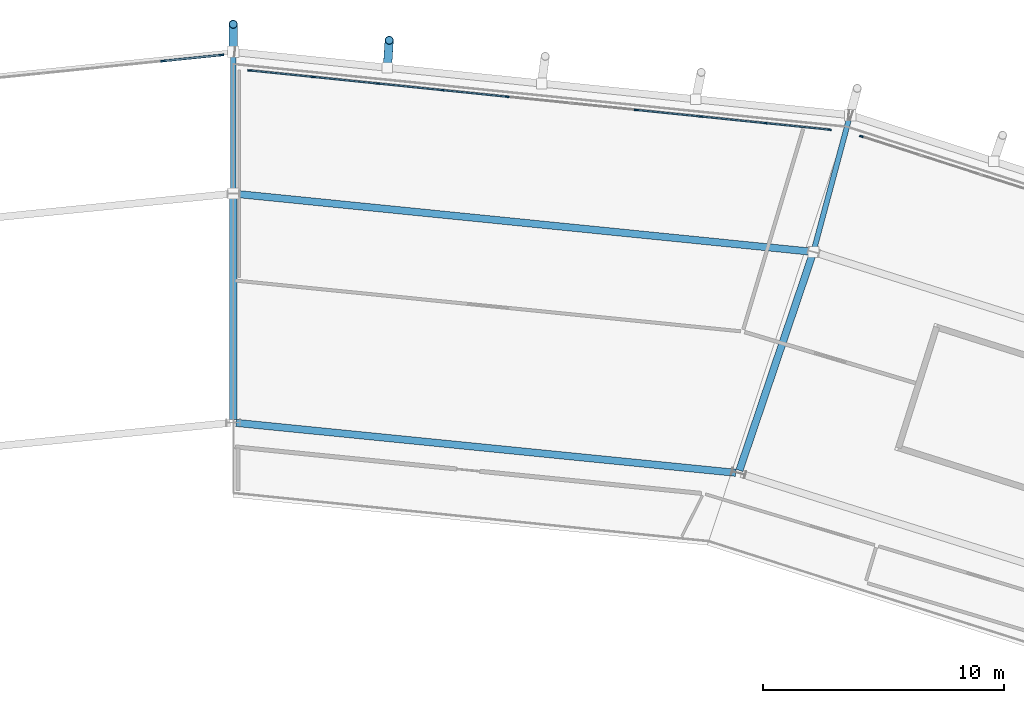
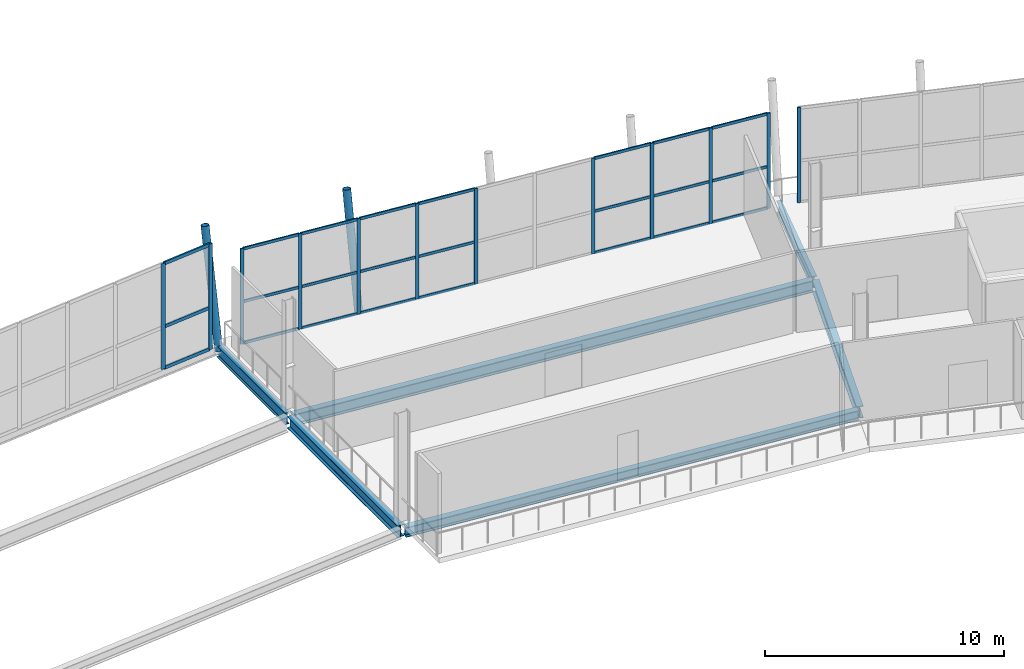
# One storey, part 48 of 99: 38 members, 6 beams, 3 elements without a shape of their own.
"""IFC4 building model written with IfcOpenShell, lengths in metres."""

from ifc_helpers import new_model, si_unit, direction, frame, origin, origin_2d, place, context, subcontext, project, spatial, rectangle, hollow_circle, i_section, extrude, material, material_profile, profile_set, type_object, element, aggregate, save


model = new_model("IFC4")

# Units and contexts
model_context = context("Model", 3, precision=1e-05, world=origin(), true_north=direction((0.0, 1.0)))
body_context = subcontext(model_context, "Body", "Model", "MODEL_VIEW")
ifc_project = project(units=[si_unit("LENGTHUNIT", "METRE"), si_unit("AREAUNIT", "SQUARE_METRE"), si_unit("VOLUMEUNIT", "CUBIC_METRE"), si_unit("PLANEANGLEUNIT", "RADIAN"), si_unit("MASSUNIT", "GRAM", prefix="KILO")], contexts=[model_context])

# Site, building, storey
site_placement = place(None, origin())
site = spatial("IfcSite", under=ifc_project, at=site_placement, CompositionType="ELEMENT")
building_placement = place(site_placement, origin())
building = spatial("IfcBuilding", under=site, at=building_placement, Name="Zlatoyarsky Gate Stadium", CompositionType="ELEMENT")
storey_placement = place(building_placement, frame((0.0, 0.0, 26.199951171875)))
storey = spatial("IfcBuildingStorey", under=building, at=storey_placement, Name="L05", CompositionType="ELEMENT", Elevation=26.199951171875)

# Curtain wall, members
ifc_material_1 = material(Name="Thermally broken anodised aluminium curtain wall", Category="aluminium")
curtain_wall_type_1 = type_object("IfcCurtainWallType", Name="MONUMENTAL ARCHED GATE GLAZING UPPER", PredefinedType="USERDEFINED", material=ifc_material_1)
curtain_wall_1_placement = place(storey_placement, origin())
curtain_wall_1 = element("IfcCurtainWall", 1, at=curtain_wall_1_placement, inside=storey, type_object=curtain_wall_type_1, Name="Curtain wall CW-L05-06", ObjectType="ARCHED GATE GLAZING", PredefinedType="USERDEFINED")
ifc_material_2 = material(Name="Anodised aluminium 6063-T6", Category="aluminium")
ifc_material_profile_1 = material_profile(ifc_material_2, rectangle(XDim=0.074951171875, YDim=0.18994140625, at=origin_2d()), Name="ALU 75X190")
ifc_profile_set_1 = profile_set([ifc_material_profile_1], Name="Anodised aluminium 6063-T6")
member_type_1 = type_object("IfcMemberType", Name="ALUMINIUM GATE MULLION 75X190", PredefinedType="MULLION", material=ifc_profile_set_1)
member_1_placement = place(storey_placement, frame((110.514892578125, 156.74853515625, -0.260009765625), z_axis=(0.0, 0.0, 1.0), x_axis=(0.101805036399, -0.994804369996, 0.0)))
member_1 = element("IfcMember", 2, at=member_1_placement, type_object=member_type_1, Name="CW-AG2 mullion 1", PredefinedType="MULLION", context=body_context, shape_type="SweptSolid", body=[
    extrude(rectangle(XDim=0.074951171875, YDim=0.18994140625, at=origin_2d()), origin(), (0.0, 0.0, 1.0), 5.41015625),
])
member_2_placement = place(storey_placement, frame((108.084716796875, 156.499755859375, -0.260009765625), z_axis=(0.0, 0.0, 1.0), x_axis=(0.101805036399, -0.994804369996, 0.0)))
member_2 = element("IfcMember", 3, at=member_2_placement, type_object=member_type_1, Name="CW-AG2 mullion 2", PredefinedType="MULLION", context=body_context, shape_type="SweptSolid", body=[
    extrude(rectangle(XDim=0.074951171875, YDim=0.18994140625, at=origin_2d()), origin(), (0.0, 0.0, 1.0), 5.41015625),
])
ifc_material_profile_2 = material_profile(ifc_material_2, rectangle(XDim=0.074951171875, YDim=0.169921875, at=origin_2d()), Name="ALU 75X170")
ifc_profile_set_2 = profile_set([ifc_material_profile_2], Name="Anodised aluminium 6063-T6")
member_type_2 = type_object("IfcMemberType", Name="ALUMINIUM GATE TRANSOM 75X170", PredefinedType="USERDEFINED", material=ifc_profile_set_2)
member_3_placement = place(storey_placement, frame((110.477783203125, 156.74462890625, -0.222412109375), z_axis=(-0.994809038473, -0.101759407293, 0.0), x_axis=(0.101759407293, -0.994809038473, 0.0)))
member_3 = element("IfcMember", 4, at=member_3_placement, type_object=member_type_2, Name="CW-AG2 transom 1.1", ObjectType="TRANSOM", PredefinedType="USERDEFINED", context=body_context, shape_type="SweptSolid", body=[
    extrude(rectangle(XDim=0.074951171875, YDim=0.169921875, at=origin_2d()), origin(), (0.0, 0.0, 1.0), 2.367919921875),
])
member_4_placement = place(storey_placement, frame((110.477783203125, 156.74462890625, 1.89013671875), z_axis=(-0.994809038473, -0.101759407293, 0.0), x_axis=(0.101759407293, -0.994809038473, 0.0)))
member_4 = element("IfcMember", 5, at=member_4_placement, type_object=member_type_2, Name="CW-AG2 transom 1.2", ObjectType="TRANSOM", PredefinedType="USERDEFINED", context=body_context, shape_type="SweptSolid", body=[
    extrude(rectangle(XDim=0.074951171875, YDim=0.169921875, at=origin_2d()), origin(), (0.0, 0.0, 1.0), 2.367919921875),
])
member_5_placement = place(storey_placement, frame((110.477783203125, 156.74462890625, 5.112548828125), z_axis=(-0.994809038473, -0.101759407293, 0.0), x_axis=(0.101759407293, -0.994809038473, 0.0)))
member_5 = element("IfcMember", 6, at=member_5_placement, type_object=member_type_2, Name="CW-AG2 transom 1.3", ObjectType="TRANSOM", PredefinedType="USERDEFINED", context=body_context, shape_type="SweptSolid", body=[
    extrude(rectangle(XDim=0.074951171875, YDim=0.169921875, at=origin_2d()), origin(), (0.0, 0.0, 1.0), 2.367919921875),
])
aggregate(curtain_wall_1, [member_1, member_2, member_3, member_4, member_5])

# Curtain wall, member
curtain_wall_type_2 = type_object("IfcCurtainWallType", Name="UNITISED SKYBOX RING GLAZING L05", PredefinedType="USERDEFINED", material=ifc_material_1)
curtain_wall_2_placement = place(storey_placement, origin())
curtain_wall_2 = element("IfcCurtainWall", 7, at=curtain_wall_2_placement, inside=storey, type_object=curtain_wall_type_2, Name="Curtain wall CW-L05-04", ObjectType="UNITISED GLAZING", PredefinedType="USERDEFINED")
ifc_material_profile_3 = material_profile(ifc_material_2, rectangle(XDim=0.06494140625, YDim=0.159912109375, at=origin_2d()), Name="ALU 65X160")
ifc_profile_set_3 = profile_set([ifc_material_profile_3], Name="Anodised aluminium 6063-T6")
member_type_3 = type_object("IfcMemberType", Name="ALUMINIUM MULLION 65X160", PredefinedType="MULLION", material=ifc_profile_set_3)
member_6_placement = place(storey_placement, frame((137.06005859375, 153.37353515625, 0.0), z_axis=(0.0, 0.0, 1.0), x_axis=(-0.305978007283, -0.952038580657, 0.0)))
member_6 = element("IfcMember", 8, at=member_6_placement, type_object=member_type_3, Name="CW-UG5 mullion 10", PredefinedType="MULLION", context=body_context, shape_type="SweptSolid", body=[
    extrude(rectangle(XDim=0.06494140625, YDim=0.159912109375, at=origin_2d()), origin(), (0.0, 0.0, 1.0), 4.880126953125),
])
aggregate(curtain_wall_2, [member_6])

# Curtain wall, members
curtain_wall_3_placement = place(storey_placement, origin())
curtain_wall_3 = element("IfcCurtainWall", 9, at=curtain_wall_3_placement, inside=storey, type_object=curtain_wall_type_2, Name="Curtain wall CW-L05-05", ObjectType="UNITISED GLAZING", PredefinedType="USERDEFINED")
member_7_placement = place(storey_placement, frame((135.7314453125, 153.65185546875, 0.0), z_axis=(0.0, 0.0, 1.0), x_axis=(-0.101618248063, -0.994823467586, 0.0)))
member_7 = element("IfcMember", 10, at=member_7_placement, type_object=member_type_3, Name="CW-UG5 mullion 1", PredefinedType="MULLION", context=body_context, shape_type="SweptSolid", body=[
    extrude(rectangle(XDim=0.06494140625, YDim=0.159912109375, at=origin_2d()), origin(), (0.0, 0.0, 1.0), 4.880126953125),
])
member_8_placement = place(storey_placement, frame((133.084228515625, 153.922119140625, 0.0), z_axis=(0.0, 0.0, 1.0), x_axis=(-0.101618248063, -0.994823467586, 0.0)))
member_8 = element("IfcMember", 11, at=member_8_placement, type_object=member_type_3, Name="CW-UG5 mullion 2", PredefinedType="MULLION", context=body_context, shape_type="SweptSolid", body=[
    extrude(rectangle(XDim=0.06494140625, YDim=0.159912109375, at=origin_2d()), origin(), (0.0, 0.0, 1.0), 4.880126953125),
])
member_9_placement = place(storey_placement, frame((130.404541015625, 154.196044921875, 0.0), z_axis=(0.0, 0.0, 1.0), x_axis=(-0.101618248063, -0.994823467586, 0.0)))
member_9 = element("IfcMember", 12, at=member_9_placement, type_object=member_type_3, Name="CW-UG5 mullion 3", PredefinedType="MULLION", context=body_context, shape_type="SweptSolid", body=[
    extrude(rectangle(XDim=0.06494140625, YDim=0.159912109375, at=origin_2d()), origin(), (0.0, 0.0, 1.0), 4.880126953125),
])
member_10_placement = place(storey_placement, frame((127.724853515625, 154.4697265625, 0.0), z_axis=(0.0, 0.0, 1.0), x_axis=(-0.101618248063, -0.994823467586, 0.0)))
member_10 = element("IfcMember", 13, at=member_10_placement, type_object=member_type_3, Name="CW-UG5 mullion 4", PredefinedType="MULLION", context=body_context, shape_type="SweptSolid", body=[
    extrude(rectangle(XDim=0.06494140625, YDim=0.159912109375, at=origin_2d()), origin(), (0.0, 0.0, 1.0), 4.880126953125),
])
member_11_placement = place(storey_placement, frame((122.365234375, 155.01708984375, 0.0), z_axis=(0.0, 0.0, 1.0), x_axis=(-0.101618248063, -0.994823467586, 0.0)))
member_11 = element("IfcMember", 14, at=member_11_placement, type_object=member_type_3, Name="CW-UG5 mullion 6", PredefinedType="MULLION", context=body_context, shape_type="SweptSolid", body=[
    extrude(rectangle(XDim=0.06494140625, YDim=0.159912109375, at=origin_2d()), origin(), (0.0, 0.0, 1.0), 4.880126953125),
])
member_12_placement = place(storey_placement, frame((119.685546875, 155.290771484375, 0.0), z_axis=(0.0, 0.0, 1.0), x_axis=(-0.101618248063, -0.994823467586, 0.0)))
member_12 = element("IfcMember", 15, at=member_12_placement, type_object=member_type_3, Name="CW-UG5 mullion 7", PredefinedType="MULLION", context=body_context, shape_type="SweptSolid", body=[
    extrude(rectangle(XDim=0.06494140625, YDim=0.159912109375, at=origin_2d()), origin(), (0.0, 0.0, 1.0), 4.880126953125),
])
member_13_placement = place(storey_placement, frame((117.005859375, 155.564453125, 0.0), z_axis=(0.0, 0.0, 1.0), x_axis=(-0.101618248063, -0.994823467586, 0.0)))
member_13 = element("IfcMember", 16, at=member_13_placement, type_object=member_type_3, Name="CW-UG5 mullion 8", PredefinedType="MULLION", context=body_context, shape_type="SweptSolid", body=[
    extrude(rectangle(XDim=0.06494140625, YDim=0.159912109375, at=origin_2d()), origin(), (0.0, 0.0, 1.0), 4.880126953125),
])
member_14_placement = place(storey_placement, frame((114.326171875, 155.83837890625, 0.0), z_axis=(0.0, 0.0, 1.0), x_axis=(-0.101618248063, -0.994823467586, 0.0)))
member_14 = element("IfcMember", 17, at=member_14_placement, type_object=member_type_3, Name="CW-UG5 mullion 9", PredefinedType="MULLION", context=body_context, shape_type="SweptSolid", body=[
    extrude(rectangle(XDim=0.06494140625, YDim=0.159912109375, at=origin_2d()), origin(), (0.0, 0.0, 1.0), 4.880126953125),
])
member_15_placement = place(storey_placement, frame((111.678955078125, 156.108642578125, 0.0), z_axis=(0.0, 0.0, 1.0), x_axis=(-0.101618248063, -0.994823467586, 0.0)))
member_15 = element("IfcMember", 18, at=member_15_placement, type_object=member_type_3, Name="CW-UG5 mullion 10", PredefinedType="MULLION", context=body_context, shape_type="SweptSolid", body=[
    extrude(rectangle(XDim=0.06494140625, YDim=0.159912109375, at=origin_2d()), origin(), (0.0, 0.0, 1.0), 4.880126953125),
])
ifc_material_profile_4 = material_profile(ifc_material_2, rectangle(XDim=0.06494140625, YDim=0.139892578125, at=origin_2d()), Name="ALU 65X140")
ifc_profile_set_4 = profile_set([ifc_material_profile_4], Name="Anodised aluminium 6063-T6")
member_type_4 = type_object("IfcMemberType", Name="ALUMINIUM TRANSOM 65X140", PredefinedType="USERDEFINED", material=ifc_profile_set_4)
member_16_placement = place(storey_placement, frame((135.69921875, 153.655029296875, 0.032470703125), z_axis=(-0.994819790569, 0.101654238927, 0.0), x_axis=(-0.101654238927, -0.994819790569, 0.0)))
member_16 = element("IfcMember", 19, at=member_16_placement, type_object=member_type_4, Name="CW-UG5 transom 1.1", ObjectType="TRANSOM", PredefinedType="USERDEFINED", context=body_context, shape_type="SweptSolid", body=[
    extrude(rectangle(XDim=0.06494140625, YDim=0.139892578125, at=origin_2d()), origin(), (0.0, 0.0, 1.0), 2.59619140625),
])
member_17_placement = place(storey_placement, frame((135.69921875, 153.655029296875, 2.150146484375), z_axis=(-0.994819790569, 0.101654238927, 0.0), x_axis=(-0.101654238927, -0.994819790569, 0.0)))
member_17 = element("IfcMember", 20, at=member_17_placement, type_object=member_type_4, Name="CW-UG5 transom 1.2", ObjectType="TRANSOM", PredefinedType="USERDEFINED", context=body_context, shape_type="SweptSolid", body=[
    extrude(rectangle(XDim=0.06494140625, YDim=0.139892578125, at=origin_2d()), origin(), (0.0, 0.0, 1.0), 2.59619140625),
])
member_18_placement = place(storey_placement, frame((135.69921875, 153.655029296875, 4.84765625), z_axis=(-0.994819790569, 0.101654238927, 0.0), x_axis=(-0.101654238927, -0.994819790569, 0.0)))
member_18 = element("IfcMember", 21, at=member_18_placement, type_object=member_type_4, Name="CW-UG5 transom 1.3", ObjectType="TRANSOM", PredefinedType="USERDEFINED", context=body_context, shape_type="SweptSolid", body=[
    extrude(rectangle(XDim=0.06494140625, YDim=0.139892578125, at=origin_2d()), origin(), (0.0, 0.0, 1.0), 2.59619140625),
])
member_19_placement = place(storey_placement, frame((133.0517578125, 153.925537109375, 0.032470703125), z_axis=(-0.994824375324, 0.101609361087, 0.0), x_axis=(-0.101609361087, -0.994824375324, 0.0)))
member_19 = element("IfcMember", 22, at=member_19_placement, type_object=member_type_4, Name="CW-UG5 transom 2.1", ObjectType="TRANSOM", PredefinedType="USERDEFINED", context=body_context, shape_type="SweptSolid", body=[
    extrude(rectangle(XDim=0.06494140625, YDim=0.139892578125, at=origin_2d()), origin(), (0.0, 0.0, 1.0), 2.628662109375),
])
member_20_placement = place(storey_placement, frame((133.0517578125, 153.925537109375, 2.150146484375), z_axis=(-0.994824375324, 0.101609361087, 0.0), x_axis=(-0.101609361087, -0.994824375324, 0.0)))
member_20 = element("IfcMember", 23, at=member_20_placement, type_object=member_type_4, Name="CW-UG5 transom 2.2", ObjectType="TRANSOM", PredefinedType="USERDEFINED", context=body_context, shape_type="SweptSolid", body=[
    extrude(rectangle(XDim=0.06494140625, YDim=0.139892578125, at=origin_2d()), origin(), (0.0, 0.0, 1.0), 2.628662109375),
])
member_21_placement = place(storey_placement, frame((133.0517578125, 153.925537109375, 4.84765625), z_axis=(-0.994824375324, 0.101609361087, 0.0), x_axis=(-0.101609361087, -0.994824375324, 0.0)))
member_21 = element("IfcMember", 24, at=member_21_placement, type_object=member_type_4, Name="CW-UG5 transom 2.3", ObjectType="TRANSOM", PredefinedType="USERDEFINED", context=body_context, shape_type="SweptSolid", body=[
    extrude(rectangle(XDim=0.06494140625, YDim=0.139892578125, at=origin_2d()), origin(), (0.0, 0.0, 1.0), 2.628662109375),
])
member_22_placement = place(storey_placement, frame((130.3720703125, 154.19921875, 0.032470703125), z_axis=(-0.994824375324, 0.101609361087, 0.0), x_axis=(-0.101609361087, -0.994824375324, 0.0)))
member_22 = element("IfcMember", 25, at=member_22_placement, type_object=member_type_4, Name="CW-UG5 transom 3.1", ObjectType="TRANSOM", PredefinedType="USERDEFINED", context=body_context, shape_type="SweptSolid", body=[
    extrude(rectangle(XDim=0.06494140625, YDim=0.139892578125, at=origin_2d()), origin(), (0.0, 0.0, 1.0), 2.628662109375),
])
member_23_placement = place(storey_placement, frame((130.3720703125, 154.19921875, 2.150146484375), z_axis=(-0.994824375324, 0.101609361087, 0.0), x_axis=(-0.101609361087, -0.994824375324, 0.0)))
member_23 = element("IfcMember", 26, at=member_23_placement, type_object=member_type_4, Name="CW-UG5 transom 3.2", ObjectType="TRANSOM", PredefinedType="USERDEFINED", context=body_context, shape_type="SweptSolid", body=[
    extrude(rectangle(XDim=0.06494140625, YDim=0.139892578125, at=origin_2d()), origin(), (0.0, 0.0, 1.0), 2.628662109375),
])
member_24_placement = place(storey_placement, frame((130.3720703125, 154.19921875, 4.84765625), z_axis=(-0.994824375324, 0.101609361087, 0.0), x_axis=(-0.101609361087, -0.994824375324, 0.0)))
member_24 = element("IfcMember", 27, at=member_24_placement, type_object=member_type_4, Name="CW-UG5 transom 3.3", ObjectType="TRANSOM", PredefinedType="USERDEFINED", context=body_context, shape_type="SweptSolid", body=[
    extrude(rectangle(XDim=0.06494140625, YDim=0.139892578125, at=origin_2d()), origin(), (0.0, 0.0, 1.0), 2.628662109375),
])
member_25_placement = place(storey_placement, frame((122.3330078125, 155.0205078125, 0.032470703125), z_axis=(-0.994824375324, 0.101609361087, 0.0), x_axis=(-0.101609361087, -0.994824375324, 0.0)))
member_25 = element("IfcMember", 28, at=member_25_placement, type_object=member_type_4, Name="CW-UG5 transom 6.1", ObjectType="TRANSOM", PredefinedType="USERDEFINED", context=body_context, shape_type="SweptSolid", body=[
    extrude(rectangle(XDim=0.06494140625, YDim=0.139892578125, at=origin_2d()), origin(), (0.0, 0.0, 1.0), 2.628662109375),
])
member_26_placement = place(storey_placement, frame((122.3330078125, 155.0205078125, 2.150146484375), z_axis=(-0.994824375324, 0.101609361087, 0.0), x_axis=(-0.101609361087, -0.994824375324, 0.0)))
member_26 = element("IfcMember", 29, at=member_26_placement, type_object=member_type_4, Name="CW-UG5 transom 6.2", ObjectType="TRANSOM", PredefinedType="USERDEFINED", context=body_context, shape_type="SweptSolid", body=[
    extrude(rectangle(XDim=0.06494140625, YDim=0.139892578125, at=origin_2d()), origin(), (0.0, 0.0, 1.0), 2.628662109375),
])
member_27_placement = place(storey_placement, frame((122.3330078125, 155.0205078125, 4.84765625), z_axis=(-0.994824375324, 0.101609361087, 0.0), x_axis=(-0.101609361087, -0.994824375324, 0.0)))
member_27 = element("IfcMember", 30, at=member_27_placement, type_object=member_type_4, Name="CW-UG5 transom 6.3", ObjectType="TRANSOM", PredefinedType="USERDEFINED", context=body_context, shape_type="SweptSolid", body=[
    extrude(rectangle(XDim=0.06494140625, YDim=0.139892578125, at=origin_2d()), origin(), (0.0, 0.0, 1.0), 2.628662109375),
])
member_28_placement = place(storey_placement, frame((119.6533203125, 155.294189453125, 0.032470703125), z_axis=(-0.994824375324, 0.101609361087, 0.0), x_axis=(-0.101609361087, -0.994824375324, 0.0)))
member_28 = element("IfcMember", 31, at=member_28_placement, type_object=member_type_4, Name="CW-UG5 transom 7.1", ObjectType="TRANSOM", PredefinedType="USERDEFINED", context=body_context, shape_type="SweptSolid", body=[
    extrude(rectangle(XDim=0.06494140625, YDim=0.139892578125, at=origin_2d()), origin(), (0.0, 0.0, 1.0), 2.628662109375),
])
member_29_placement = place(storey_placement, frame((119.6533203125, 155.294189453125, 2.150146484375), z_axis=(-0.994824375324, 0.101609361087, 0.0), x_axis=(-0.101609361087, -0.994824375324, 0.0)))
member_29 = element("IfcMember", 32, at=member_29_placement, type_object=member_type_4, Name="CW-UG5 transom 7.2", ObjectType="TRANSOM", PredefinedType="USERDEFINED", context=body_context, shape_type="SweptSolid", body=[
    extrude(rectangle(XDim=0.06494140625, YDim=0.139892578125, at=origin_2d()), origin(), (0.0, 0.0, 1.0), 2.628662109375),
])
member_30_placement = place(storey_placement, frame((119.6533203125, 155.294189453125, 4.84765625), z_axis=(-0.994824375324, 0.101609361087, 0.0), x_axis=(-0.101609361087, -0.994824375324, 0.0)))
member_30 = element("IfcMember", 33, at=member_30_placement, type_object=member_type_4, Name="CW-UG5 transom 7.3", ObjectType="TRANSOM", PredefinedType="USERDEFINED", context=body_context, shape_type="SweptSolid", body=[
    extrude(rectangle(XDim=0.06494140625, YDim=0.139892578125, at=origin_2d()), origin(), (0.0, 0.0, 1.0), 2.628662109375),
])
member_31_placement = place(storey_placement, frame((116.9736328125, 155.56787109375, 0.032470703125), z_axis=(-0.994824375324, 0.101609361087, 0.0), x_axis=(-0.101609361087, -0.994824375324, 0.0)))
member_31 = element("IfcMember", 34, at=member_31_placement, type_object=member_type_4, Name="CW-UG5 transom 8.1", ObjectType="TRANSOM", PredefinedType="USERDEFINED", context=body_context, shape_type="SweptSolid", body=[
    extrude(rectangle(XDim=0.06494140625, YDim=0.139892578125, at=origin_2d()), origin(), (0.0, 0.0, 1.0), 2.628662109375),
])
member_32_placement = place(storey_placement, frame((116.9736328125, 155.56787109375, 2.150146484375), z_axis=(-0.994824375324, 0.101609361087, 0.0), x_axis=(-0.101609361087, -0.994824375324, 0.0)))
member_32 = element("IfcMember", 35, at=member_32_placement, type_object=member_type_4, Name="CW-UG5 transom 8.2", ObjectType="TRANSOM", PredefinedType="USERDEFINED", context=body_context, shape_type="SweptSolid", body=[
    extrude(rectangle(XDim=0.06494140625, YDim=0.139892578125, at=origin_2d()), origin(), (0.0, 0.0, 1.0), 2.628662109375),
])
member_33_placement = place(storey_placement, frame((116.9736328125, 155.56787109375, 4.84765625), z_axis=(-0.994824375324, 0.101609361087, 0.0), x_axis=(-0.101609361087, -0.994824375324, 0.0)))
member_33 = element("IfcMember", 36, at=member_33_placement, type_object=member_type_4, Name="CW-UG5 transom 8.3", ObjectType="TRANSOM", PredefinedType="USERDEFINED", context=body_context, shape_type="SweptSolid", body=[
    extrude(rectangle(XDim=0.06494140625, YDim=0.139892578125, at=origin_2d()), origin(), (0.0, 0.0, 1.0), 2.628662109375),
])
member_34_placement = place(storey_placement, frame((114.2939453125, 155.841552734375, 0.032470703125), z_axis=(-0.994819790569, 0.101654238927, 0.0), x_axis=(-0.101654238927, -0.994819790569, 0.0)))
member_34 = element("IfcMember", 37, at=member_34_placement, type_object=member_type_4, Name="CW-UG5 transom 9.1", ObjectType="TRANSOM", PredefinedType="USERDEFINED", context=body_context, shape_type="SweptSolid", body=[
    extrude(rectangle(XDim=0.06494140625, YDim=0.139892578125, at=origin_2d()), origin(), (0.0, 0.0, 1.0), 2.59619140625),
])
member_35_placement = place(storey_placement, frame((114.2939453125, 155.841552734375, 2.150146484375), z_axis=(-0.994819790569, 0.101654238927, 0.0), x_axis=(-0.101654238927, -0.994819790569, 0.0)))
member_35 = element("IfcMember", 38, at=member_35_placement, type_object=member_type_4, Name="CW-UG5 transom 9.2", ObjectType="TRANSOM", PredefinedType="USERDEFINED", context=body_context, shape_type="SweptSolid", body=[
    extrude(rectangle(XDim=0.06494140625, YDim=0.139892578125, at=origin_2d()), origin(), (0.0, 0.0, 1.0), 2.59619140625),
])
member_36_placement = place(storey_placement, frame((114.2939453125, 155.841552734375, 4.84765625), z_axis=(-0.994819790569, 0.101654238927, 0.0), x_axis=(-0.101654238927, -0.994819790569, 0.0)))
member_36 = element("IfcMember", 39, at=member_36_placement, type_object=member_type_4, Name="CW-UG5 transom 9.3", ObjectType="TRANSOM", PredefinedType="USERDEFINED", context=body_context, shape_type="SweptSolid", body=[
    extrude(rectangle(XDim=0.06494140625, YDim=0.139892578125, at=origin_2d()), origin(), (0.0, 0.0, 1.0), 2.59619140625),
])
aggregate(curtain_wall_3, [member_7, member_8, member_9, member_10, member_11, member_12, member_13, member_14, member_15, member_16, member_17, member_18, member_19, member_20, member_21, member_22, member_23, member_24, member_25, member_26, member_27, member_28, member_29, member_30, member_31, member_32, member_33, member_34, member_35, member_36])

# Beams
ifc_material_3 = material(Name="Steel S355", Category="steel")
ifc_material_profile_5 = material_profile(ifc_material_3, i_section(OverallWidth=0.219970703125, OverallDepth=0.60009765625, WebThickness=0.011962890625, FlangeThickness=0.01904296875, FilletRadius=0.02392578125, at=origin_2d()), Name="IPE 600")
ifc_profile_set_5 = profile_set([ifc_material_profile_5], Name="Steel S355")
beam_type_1 = type_object("IfcBeamType", Name="STEEL CANTILEVER FLOOR BEAM IPE 600", PredefinedType="BEAM", material=ifc_profile_set_5)
beam_1_placement = place(storey_placement, frame((135.101318359375, 148.696533203125, -0.56005859375), z_axis=(0.258802489691, 0.965930262146, 0.0), x_axis=(-0.965930262146, 0.258802489691, 0.0)))
element("IfcBeam", 40, at=beam_1_placement, inside=storey, type_object=beam_type_1, Name="Beam B-IPE600 BM-L05-OUT-05", PredefinedType="BEAM", context=body_context, shape_type="SweptSolid", body=[
    extrude(i_section(OverallWidth=0.219970703125, OverallDepth=0.60009765625, WebThickness=0.011962890625, FlangeThickness=0.01904296875, FilletRadius=0.02392578125, at=origin_2d()), origin(), (0.0, 0.0, 1.0), 5.75830078125),
])
beam_2_placement = place(storey_placement, frame((111.0, 151.1201171875, -0.56005859375), z_axis=(0.0, 1.0, 0.0), x_axis=(-1.0, 0.0, 0.0)))
element("IfcBeam", 41, at=beam_2_placement, inside=storey, type_object=beam_type_1, Name="Beam B-IPE600 BM-L05-OUT-06", PredefinedType="BEAM", context=body_context, shape_type="SweptSolid", body=[
    extrude(i_section(OverallWidth=0.219970703125, OverallDepth=0.60009765625, WebThickness=0.011962890625, FlangeThickness=0.01904296875, FilletRadius=0.02392578125, at=origin_2d()), origin(), (0.0, 0.0, 1.0), 5.758056640625),
])

# Members
ifc_material_profile_6 = material_profile(ifc_material_3, hollow_circle(Radius=0.177734375, WallThickness=0.02001953125, at=origin_2d()), Name="CHS 355.6X20")
ifc_profile_set_6 = profile_set([ifc_material_profile_6], Name="Steel S355")
member_type_5 = type_object("IfcMemberType", Name="STEEL LEANING RIB RING STRUT CHS 355.6X20", PredefinedType="STRUT", material=ifc_profile_set_6)
member_37_placement = place(storey_placement, frame((117.39794921875, 156.22314453125, -0.510009765625), z_axis=(0.012895730339, 0.197368095817, 0.980244630127), x_axis=(-0.997872252144, 0.065199450922, 0.0)))
element("IfcMember", 42, at=member_37_placement, inside=storey, type_object=member_type_5, Name="Outward-leaning bowl louvre fin rib L05 05-3", PredefinedType="STRUT", context=body_context, shape_type="SweptSolid", body=[
    extrude(hollow_circle(Radius=0.177734375, WallThickness=0.02001953125, at=origin_2d()), origin(), (0.0, 0.0, 1.0), 5.774169921875),
])
member_38_placement = place(storey_placement, frame((111.0, 156.878173828125, -0.56005859375), z_axis=(0.0, 0.197333114492, 0.980336494233), x_axis=(-1.0, 0.0, 0.0)))
element("IfcMember", 43, at=member_38_placement, inside=storey, type_object=member_type_5, Name="Upper leaning rib ring strut 06", PredefinedType="STRUT", context=body_context, shape_type="SweptSolid", body=[
    extrude(hollow_circle(Radius=0.177734375, WallThickness=0.02001953125, at=origin_2d()), origin(), (0.0, 0.0, 1.0), 5.82470703125),
])

# Beams
ifc_material_profile_7 = material_profile(ifc_material_3, i_section(OverallWidth=0.300048828125, OverallDepth=0.5, WebThickness=0.014404296875, FlangeThickness=0.028076171875, FilletRadius=0.027099609375, at=origin_2d()), Name="HEB 500")
ifc_profile_set_7 = profile_set([ifc_material_profile_7], Name="Steel S355")
beam_type_2 = type_object("IfcBeamType", Name="STEEL PRIMARY GIRDER HEB 500", PredefinedType="BEAM", material=ifc_profile_set_7)
beam_3_placement = place(storey_placement, frame((131.844970703125, 139.416259765625, -0.510009765625), z_axis=(-0.995040903182, 0.099466582298, 0.0), x_axis=(-0.099466582298, -0.995040903182, 0.0)))
element("IfcBeam", 44, at=beam_3_placement, inside=storey, type_object=beam_type_2, Name="Beam G-HEB500 BM-L05-CRB-05", PredefinedType="BEAM", context=body_context, shape_type="SweptSolid", body=[
    extrude(i_section(OverallWidth=0.300048828125, OverallDepth=0.5, WebThickness=0.014404296875, FlangeThickness=0.028076171875, FilletRadius=0.027099609375, at=origin_2d()), origin(), (0.0, 0.0, 1.0), 20.828857421875),
])
ifc_material_profile_8 = material_profile(ifc_material_3, i_section(OverallWidth=0.300048828125, OverallDepth=0.60009765625, WebThickness=0.015380859375, FlangeThickness=0.030029296875, FilletRadius=0.027099609375, at=origin_2d()), Name="HEB 600")
ifc_profile_set_8 = profile_set([ifc_material_profile_8], Name="Steel S355")
beam_type_3 = type_object("IfcBeamType", Name="STEEL PRIMARY GIRDER HEB 600", PredefinedType="BEAM", material=ifc_profile_set_8)
beam_4_placement = place(storey_placement, frame((132.002685546875, 139.51806640625, -0.56005859375), z_axis=(0.320612225581, 0.947210536686, 0.0), x_axis=(-0.947210536686, 0.320612225581, 0.0)))
element("IfcBeam", 45, at=beam_4_placement, inside=storey, type_object=beam_type_3, Name="Beam G-HEB600 BM-L05-RBC-05", PredefinedType="BEAM", context=body_context, shape_type="SweptSolid", body=[
    extrude(i_section(OverallWidth=0.300048828125, OverallDepth=0.60009765625, WebThickness=0.015380859375, FlangeThickness=0.030029296875, FilletRadius=0.027099609375, at=origin_2d()), origin(), (0.0, 0.0, 1.0), 9.44775390625),
])
beam_5_placement = place(storey_placement, frame((134.95068359375, 148.5927734375, -0.56005859375), z_axis=(-0.994986905268, 0.100005291586, 0.0), x_axis=(-0.100005291586, -0.994986905268, 0.0)))
element("IfcBeam", 46, at=beam_5_placement, inside=storey, type_object=beam_type_3, Name="Beam G-HEB600 BM-L05-CRC-05", PredefinedType="BEAM", context=body_context, shape_type="SweptSolid", body=[
    extrude(i_section(OverallWidth=0.300048828125, OverallDepth=0.60009765625, WebThickness=0.015380859375, FlangeThickness=0.030029296875, FilletRadius=0.027099609375, at=origin_2d()), origin(), (0.0, 0.0, 1.0), 23.951416015625),
])
beam_6_placement = place(storey_placement, frame((111.0, 141.6201171875, -0.56005859375), z_axis=(0.0, 1.0, 0.0), x_axis=(-1.0, 0.0, 0.0)))
element("IfcBeam", 47, at=beam_6_placement, inside=storey, type_object=beam_type_3, Name="Beam G-HEB600 BM-L05-RBC-06", PredefinedType="BEAM", context=body_context, shape_type="SweptSolid", body=[
    extrude(i_section(OverallWidth=0.300048828125, OverallDepth=0.60009765625, WebThickness=0.015380859375, FlangeThickness=0.030029296875, FilletRadius=0.027099609375, at=origin_2d()), origin(), (0.0, 0.0, 1.0), 9.259765625),
])

save(model, "model.ifc")
